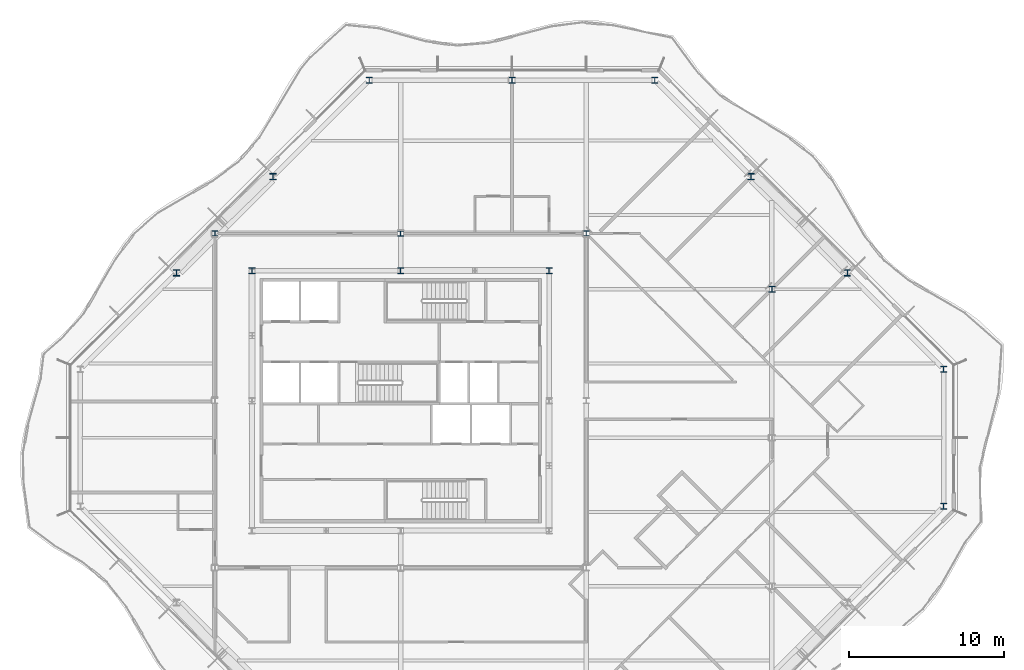
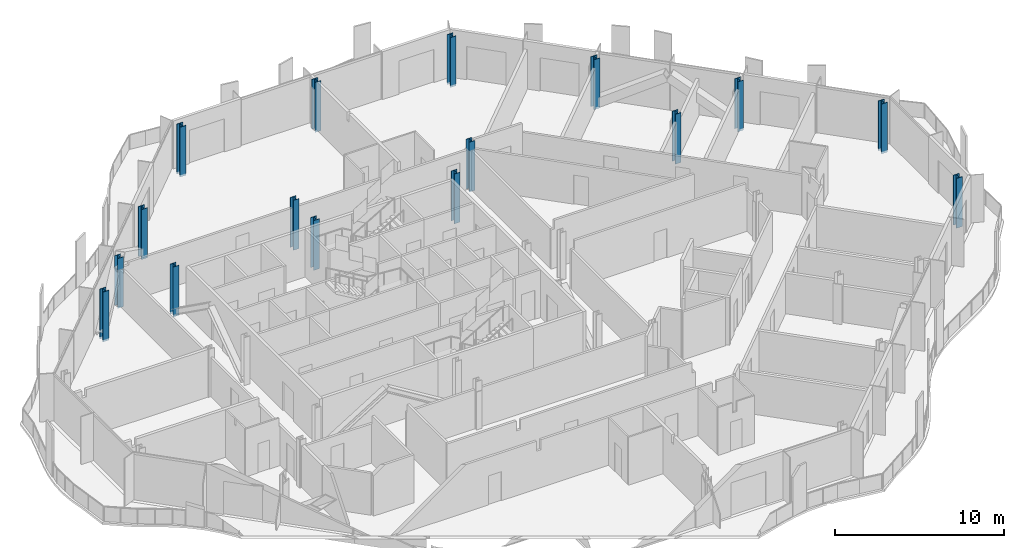
# One storey, part 2 of 17: 16 columns.
"""IFC4 building model written with IfcOpenShell, lengths in metres."""

from ifc_helpers import new_model, si_unit, direction, frame, origin, origin_2d, place, context, subcontext, project, spatial, i_section, extrude, material, material_profile, profile_set, type_object, element, save


model = new_model("IFC4")

# Units and contexts
model_context = context("Model", 3, precision=1e-05, world=origin(), true_north=direction((0.0, 1.0)))
body_context = subcontext(model_context, "Body", "Model", "MODEL_VIEW")
ifc_project = project(units=[si_unit("LENGTHUNIT", "METRE"), si_unit("AREAUNIT", "SQUARE_METRE"), si_unit("VOLUMEUNIT", "CUBIC_METRE"), si_unit("PLANEANGLEUNIT", "RADIAN"), si_unit("MASSUNIT", "GRAM", prefix="KILO")], contexts=[model_context])

# Site, building, storey
site_placement = place(None, origin())
site = spatial("IfcSite", under=ifc_project, at=site_placement, CompositionType="ELEMENT")
building_placement = place(site_placement, origin())
building = spatial("IfcBuilding", under=site, at=building_placement, Name="Cairn Pilgrim Tower", CompositionType="ELEMENT")
storey_placement = place(building_placement, frame((0.0, 0.0, 243.0)))
storey = spatial("IfcBuildingStorey", under=building, at=storey_placement, Name="L62", CompositionType="ELEMENT", Elevation=243.0)

# Columns
ifc_material_1 = material(Name="Structural steel S355J2", Category="steel")
ifc_material_profile_1 = material_profile(ifc_material_1, i_section(OverallWidth=0.39404296875, OverallDepth=0.375, WebThickness=0.017333984375, FlangeThickness=0.027587890625, FilletRadius=0.014892578125, at=origin_2d()), Name="HD 400x216")
ifc_profile_set_1 = profile_set([ifc_material_profile_1], Name="Structural steel S355J2")
column_type_1 = type_object("IfcColumnType", Name="HD 400x216", PredefinedType="COLUMN", material=ifc_profile_set_1)
for number, where, z_axis, x_axis, name in (
    (1, (-4.800048828125, 13.199951171875, -0.14990234375), (0.0, 0.0, 1.0), (1.0, 0.0, 0.0), "IC-6"),
    (2, (7.199951171875, 13.199951171875, -0.14990234375), (0.0, 0.0, 1.0), (1.0, 0.0, 0.0), "IC-7"),
    (3, (19.199951171875, 13.199951171875, -0.14990234375), (0.0, 0.0, 1.0), (1.0, 0.0, 0.0), "IC-8"),
):
    element("IfcColumn", number, at=place(storey_placement, frame(where, z_axis=z_axis, x_axis=x_axis)), inside=storey, type_object=column_type_1, Name=name, PredefinedType="COLUMN", context=body_context, shape_type="SweptSolid", body=[
        extrude(i_section(OverallWidth=0.39404296875, OverallDepth=0.375, WebThickness=0.017333984375, FlangeThickness=0.027587890625, FilletRadius=0.014892578125, at=origin_2d()), origin(), (0.0, 0.0, 1.0), 3.599853515625),
    ])
ifc_material_profile_2 = material_profile(ifc_material_1, i_section(OverallWidth=0.39794921875, OverallDepth=0.386962890625, WebThickness=0.02099609375, FlangeThickness=0.033203125, FilletRadius=0.014892578125, at=origin_2d()), Name="HD 400x262")
ifc_profile_set_2 = profile_set([ifc_material_profile_2], Name="Structural steel S355J2")
column_type_2 = type_object("IfcColumnType", Name="HD 400x262", PredefinedType="COLUMN", material=ifc_profile_set_2)
for number, where, z_axis, x_axis, name in (
    (4, (-2.39990234375, 10.800048828125, -0.14990234375), (0.0, 0.0, 1.0), (1.0, 0.0, 0.0), "KC-6"),
    (5, (7.199951171875, 10.800048828125, -0.14990234375), (0.0, 0.0, 1.0), (1.0, 0.0, 0.0), "KC-7"),
    (6, (16.800048828125, 10.800048828125, -0.14990234375), (0.0, 0.0, 1.0), (1.0, 0.0, 0.0), "KC-8"),
):
    element("IfcColumn", number, at=place(storey_placement, frame(where, z_axis=z_axis, x_axis=x_axis)), inside=storey, type_object=column_type_2, Name=name, PredefinedType="COLUMN", context=body_context, shape_type="SweptSolid", body=[
        extrude(i_section(OverallWidth=0.39794921875, OverallDepth=0.386962890625, WebThickness=0.02099609375, FlangeThickness=0.033203125, FilletRadius=0.014892578125, at=origin_2d()), origin(), (0.0, 0.0, 1.0), 3.599853515625),
    ])
ifc_material_profile_3 = material_profile(ifc_material_1, i_section(OverallWidth=0.39892578125, OverallDepth=0.39306640625, WebThickness=0.022705078125, FlangeThickness=0.03662109375, FilletRadius=0.014892578125, at=origin_2d()), Name="HD 400x287")
ifc_profile_set_3 = profile_set([ifc_material_profile_3], Name="Structural steel S355J2")
column_type_3 = type_object("IfcColumnType", Name="HD 400x287", PredefinedType="COLUMN", material=ifc_profile_set_3)
column_placement = place(storey_placement, frame((31.199951171875, 9.60009765625, -0.14990234375), z_axis=(0.0, 0.0, 1.0), x_axis=(1.0, 0.0, 0.0)))
element("IfcColumn", 7, at=column_placement, inside=storey, type_object=column_type_3, Name="WC-WE+2", PredefinedType="COLUMN", context=body_context, shape_type="SweptSolid", body=[
    extrude(i_section(OverallWidth=0.39892578125, OverallDepth=0.39306640625, WebThickness=0.022705078125, FlangeThickness=0.03662109375, FilletRadius=0.014892578125, at=origin_2d()), origin(), (0.0, 0.0, 1.0), 3.599853515625),
])
ifc_material_2 = material(Name="Structural steel S460M", Category="steel")
ifc_material_profile_4 = material_profile(ifc_material_2, i_section(OverallWidth=0.404052734375, OverallDepth=0.406982421875, WebThickness=0.027099609375, FlangeThickness=0.043701171875, FilletRadius=0.014892578125, at=origin_2d()), Name="HD 400x347")
ifc_profile_set_4 = profile_set([ifc_material_profile_4], Name="Structural steel S460M")
column_type_4 = type_object("IfcColumnType", Name="HD 400x347", PredefinedType="COLUMN", material=ifc_profile_set_4)
for number, where, z_axis, x_axis, name in (
    (8, (42.300048828125, -4.42724609375, -0.14990234375), (0.0, 0.0, 1.0), (1.0, 0.0, 0.0), "PC3-E1"),
    (9, (42.300048828125, 4.42724609375, -0.14990234375), (0.0, 0.0, 1.0), (1.0, 0.0, 0.0), "PC3-NE1"),
    (10, (36.07568359375, 10.651611328125, -0.14990234375), (0.0, 0.0, 1.0), (1.0, 0.0, 0.0), "PC3-NE2"),
    (11, (29.8515625, 16.875732421875, -0.14990234375), (0.0, 0.0, 1.0), (1.0, 0.0, 0.0), "PC3-NE3"),
    (12, (23.627197265625, 23.10009765625, -0.14990234375), (0.0, 0.0, 1.0), (1.0, 0.0, 0.0), "PC3-N1"),
    (13, (14.39990234375, 23.10009765625, -0.14990234375), (0.0, 0.0, 1.0), (1.0, 0.0, 0.0), "PC3-N2"),
    (14, (5.1728515625, 23.10009765625, -0.14990234375), (0.0, 0.0, 1.0), (1.0, 0.0, 0.0), "PC3-NW1"),
    (15, (-1.051513671875, 16.875732421875, -0.14990234375), (0.0, 0.0, 1.0), (1.0, 0.0, 0.0), "PC3-NW2"),
    (16, (-7.275634765625, 10.651611328125, -0.14990234375), (0.0, 0.0, 1.0), (1.0, 0.0, 0.0), "PC3-NW3"),
):
    element("IfcColumn", number, at=place(storey_placement, frame(where, z_axis=z_axis, x_axis=x_axis)), inside=storey, type_object=column_type_4, Name=name, PredefinedType="COLUMN", context=body_context, shape_type="SweptSolid", body=[
        extrude(i_section(OverallWidth=0.404052734375, OverallDepth=0.406982421875, WebThickness=0.027099609375, FlangeThickness=0.043701171875, FilletRadius=0.014892578125, at=origin_2d()), origin(), (0.0, 0.0, 1.0), 3.599853515625),
    ])

save(model, "model.ifc")
